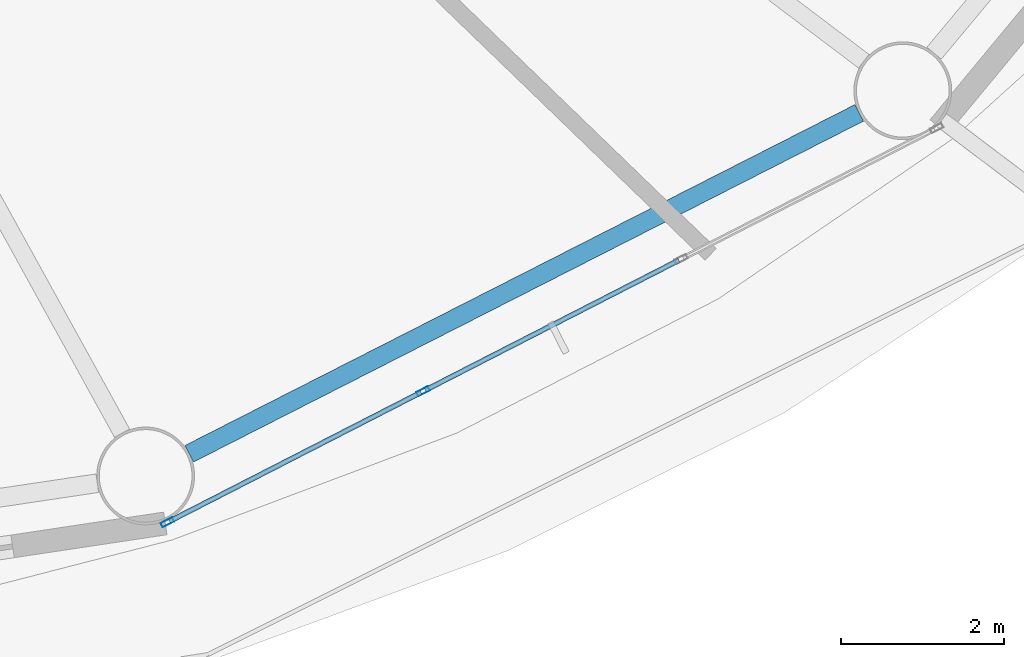
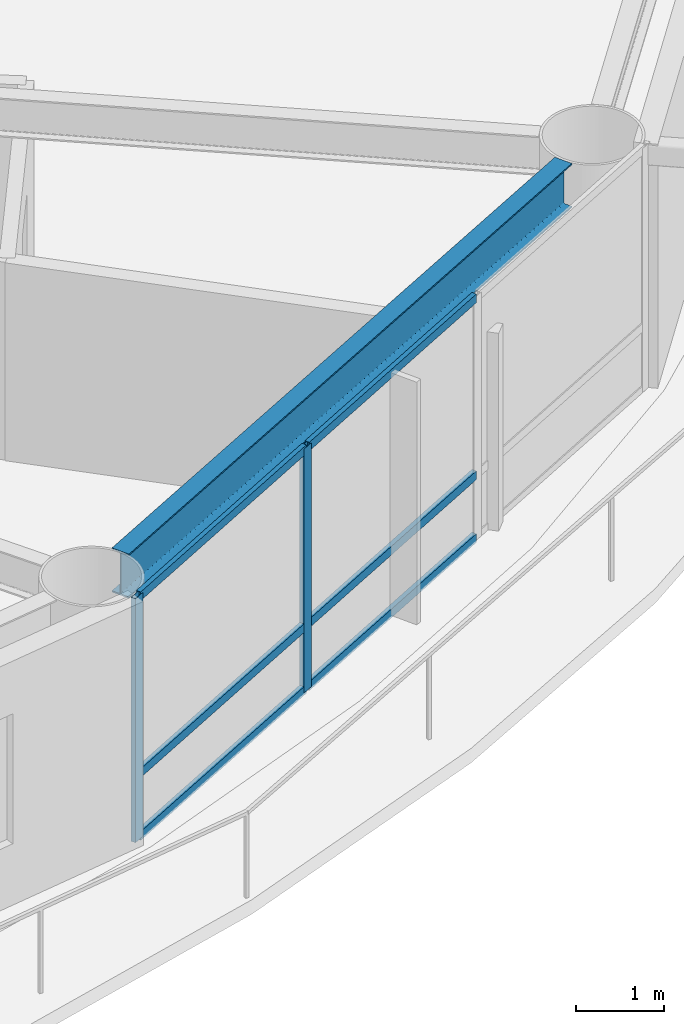
# One storey, part 4 of 24: 8 members, 1 beam, 1 element without a shape of its own.
"""IFC4 building model written with IfcOpenShell, lengths in metres."""

import ifcopenshell
import ifcopenshell.guid

model = None  # the IFC model being written
_history = None  # IfcOwnerHistory: only IFC2X3 demands one
_inside = {}  # id of a spatial element -> (the spatial element, [elements in it])
_under = {}  # id of a project, library or spatial element -> (it, [spatial elements below it])
_declared = {}  # id of a project -> (the project, [libraries it declares])
_typed = {}  # id of a type object -> (the type object, [elements of that type])
_made_of = {}  # id of a material, layer set ... -> (it, [elements and type objects made of it])


def new_model(schema):
    """Start an empty IFC model of exactly this schema.

    Asked for "IFC4X3", IfcOpenShell would pick the latest addendum, in which some entities
    have other attributes; the version numbers below select the first issue.
    IFC2X3 requires an IfcOwnerHistory on every rooted entity: one is made here for all.
    """
    global model, _history
    if schema == "IFC4X3":
        model = ifcopenshell.file(schema_version=(4, 3, 0, 0))
    else:
        model = ifcopenshell.file(schema=schema)
    _inside.clear()
    _under.clear()
    _declared.clear()
    _typed.clear()
    _made_of.clear()
    _history = None
    if model.schema == "IFC2X3":
        org = make("IfcOrganization", Name="unknown")
        user = make(
            "IfcPersonAndOrganization",
            ThePerson=make("IfcPerson", FamilyName="unknown"),
            TheOrganization=org,
        )
        app = make(
            "IfcApplication",
            ApplicationDeveloper=org,
            Version="unknown",
            ApplicationFullName="unknown",
            ApplicationIdentifier="unknown",
        )
        _history = make(
            "IfcOwnerHistory",
            OwningUser=user,
            OwningApplication=app,
            ChangeAction="ADDED",
            CreationDate=0,
        )
    return model


def make(cls, **values):
    """One entity of the class cls with the attributes given. An attribute that is None is left unset."""
    return model.create_entity(
        cls, **{name: value for name, value in values.items() if value is not None}
    )


def rooted(cls, **values):
    """An entity with a GlobalId (a new one), such as an element, a storey or a relation."""
    return make(cls, GlobalId=ifcopenshell.guid.new(), OwnerHistory=_history, **values)


def si_unit(unit_type, name, prefix=None):
    """IfcSIUnit, for example si_unit("LENGTHUNIT", "METRE", prefix="MILLI")."""
    return make("IfcSIUnit", UnitType=unit_type, Prefix=prefix, Name=name)


def assignment(units):
    """IfcUnitAssignment: the units of a project."""
    return None if units is None else make("IfcUnitAssignment", Units=units)


def point(xyz):
    """IfcCartesianPoint."""
    return None if xyz is None else make("IfcCartesianPoint", Coordinates=xyz)


def direction(xyz):
    """IfcDirection."""
    return None if xyz is None else make("IfcDirection", DirectionRatios=xyz)


def frame(location, z_axis=None, x_axis=None):
    """IfcAxis2Placement3D, a coordinate frame: its origin and axes. An axis left out is left unset."""
    return make(
        "IfcAxis2Placement3D",
        Location=point(location),
        Axis=direction(z_axis),
        RefDirection=direction(x_axis),
    )


def frame_2d(location, x_axis=None):
    """IfcAxis2Placement2D, a coordinate frame in the plane: its origin and x axis."""
    return make(
        "IfcAxis2Placement2D", Location=point(location), RefDirection=direction(x_axis)
    )


def origin():
    """The frame at (0, 0, 0) with its axes left unset."""
    return frame((0.0, 0.0, 0.0))


def origin_2d():
    """The frame at (0, 0) in the plane with its x axis left unset."""
    return frame_2d((0.0, 0.0))


def place(relative_to, where):
    """IfcLocalPlacement: puts the frame where relative to a parent placement (None: the world)."""
    return make(
        "IfcLocalPlacement", PlacementRelTo=relative_to, RelativePlacement=where
    )


def context(
    kind, dimensions, precision=None, world=None, true_north=None, identifier=None
):
    """IfcGeometricRepresentationContext, for example the 3D "Model" context."""
    return make(
        "IfcGeometricRepresentationContext",
        ContextIdentifier=identifier,
        ContextType=kind,
        CoordinateSpaceDimension=dimensions,
        Precision=precision,
        WorldCoordinateSystem=world,
        TrueNorth=true_north,
    )


def subcontext(parent, identifier, kind, view, scale=None):
    """IfcGeometricRepresentationSubContext, for example "Body" below "Model"."""
    return make(
        "IfcGeometricRepresentationSubContext",
        ContextIdentifier=identifier,
        ContextType=kind,
        ParentContext=parent,
        TargetScale=scale,
        TargetView=view,
    )


def project(units=None, contexts=None):
    """IfcProject with its units and contexts."""
    return rooted(
        "IfcProject",
        Name="project",
        RepresentationContexts=contexts,
        UnitsInContext=assignment(units),
    )


def spatial(cls, under=None, at=None, **own):
    """A site, building, storey or space (cls), placed at a placement, below another one or the project."""
    s = rooted(cls, ObjectPlacement=at, **own)
    if under is not None:
        _under.setdefault(under.id(), (under, []))[1].append(s)
    return s


def profile(cls, at=None, kind="AREA", **sizes):
    """A parametric profile (cls). Its sizes go by their IFC names, for example OverallWidth=200.0."""
    return make(cls, ProfileType=kind, Position=at, **sizes)


def hollow_rectangle(**sizes):
    """IfcRectangleHollowProfileDef."""
    return profile("IfcRectangleHollowProfileDef", **sizes)


def i_section(**sizes):
    """IfcIShapeProfileDef."""
    return profile("IfcIShapeProfileDef", **sizes)


def extrude(swept, where, along, depth):
    """IfcExtrudedAreaSolid: the profile swept, set in the frame where, extruded along a direction by depth."""
    return make(
        "IfcExtrudedAreaSolid",
        SweptArea=swept,
        Position=where,
        ExtrudedDirection=direction(along),
        Depth=depth,
    )


def shape(context_of_items, identifier, shape_type, items):
    """IfcShapeRepresentation: the items that make up one representation, for example the "Body"."""
    return make(
        "IfcShapeRepresentation",
        ContextOfItems=context_of_items,
        RepresentationIdentifier=identifier,
        RepresentationType=shape_type,
        Items=items,
    )


def material(Name=None, Category=None):
    """IfcMaterial."""
    return make("IfcMaterial", Name=Name, Category=Category)


def layer(
    of_material, thickness, ventilated=None, Name=None, Category=None, Priority=None
):
    """IfcMaterialLayer: one layer of a wall or slab, of a material (None: an air gap)."""
    return make(
        "IfcMaterialLayer",
        Material=of_material,
        LayerThickness=thickness,
        IsVentilated=ventilated,
        Name=Name,
        Category=Category,
        Priority=Priority,
    )


def layer_set(layers, Name=None):
    """IfcMaterialLayerSet."""
    return make("IfcMaterialLayerSet", MaterialLayers=layers, LayerSetName=Name)


def material_profile(
    of_material, cross_section, Name=None, Category=None, Priority=None
):
    """IfcMaterialProfile: a cross section and its material."""
    return make(
        "IfcMaterialProfile",
        Name=Name,
        Material=of_material,
        Profile=cross_section,
        Priority=Priority,
        Category=Category,
    )


def profile_set(profiles, Name=None, composite=None):
    """IfcMaterialProfileSet."""
    return make(
        "IfcMaterialProfileSet",
        Name=Name,
        MaterialProfiles=profiles,
        CompositeProfile=composite,
    )


def made_of(thing, what):
    """Note that an element or type object is made of a material, layer set ...; save() writes the relation."""
    if what is not None:
        _made_of.setdefault(what.id(), (what, []))[1].append(thing)
    return thing


def type_object(cls, material=None, **own):
    """A type object (cls), such as IfcWallType, which elements share."""
    return made_of(rooted(cls, **own), material)


def element(
    cls,
    number,
    at=None,
    inside=None,
    cuts=None,
    type_object=None,
    material=None,
    context=None,
    identifier="Body",
    shape_type=None,
    held_by="IfcProductDefinitionShape",
    body=None,
    shapes=None,
    **own,
):
    """One element of the class cls, such as IfcWall. Its Tag is "e" and its number.

    at: its placement. inside: the storey or other place that contains it. cuts: it is an
    opening in that element (IfcRelVoidsElement). A single representation is given by context,
    identifier, shape_type and body (its items); several are given by shapes. held_by: the class
    of the entity that holds the representations. save() writes the other relations.
    """
    e = rooted(cls, Tag="e%d" % number, ObjectPlacement=at, **own)
    if body is not None:
        shapes = [shape(context, identifier, shape_type, body)]
    if shapes is not None:
        e.Representation = make(held_by, Representations=shapes)
    if inside is not None:
        _inside.setdefault(inside.id(), (inside, []))[1].append(e)
    if cuts is not None:
        rooted(
            "IfcRelVoidsElement", RelatingBuildingElement=cuts, RelatedOpeningElement=e
        )
    if type_object is not None:
        _typed.setdefault(type_object.id(), (type_object, []))[1].append(e)
    return made_of(e, material)


def aggregate(whole, parts):
    """IfcRelAggregates: a whole, such as a stair, and the parts it consists of."""
    return rooted("IfcRelAggregates", RelatingObject=whole, RelatedObjects=parts)


def save(model, path):
    """Write the relations noted so far, then the file.

    IfcRelAggregates (storeys below a building ...), IfcRelContainedInSpatialStructure (elements
    in a storey), IfcRelDefinesByType, IfcRelAssociatesMaterial and IfcRelDeclares: one each for
    every whole, place, type object, material and project.
    """
    for whole, parts in _under.values():
        aggregate(whole, parts)
    for where, things in _inside.values():
        rooted(
            "IfcRelContainedInSpatialStructure",
            RelatedElements=things,
            RelatingStructure=where,
        )
    for kind, things in _typed.values():
        rooted("IfcRelDefinesByType", RelatedObjects=things, RelatingType=kind)
    for what, things in _made_of.values():
        rooted("IfcRelAssociatesMaterial", RelatedObjects=things, RelatingMaterial=what)
    for by, libraries in _declared.values():
        rooted("IfcRelDeclares", RelatingContext=by, RelatedDefinitions=libraries)
    model.write(path)


model = new_model("IFC4")

# Units and contexts
model_context = context("Model", 3, precision=1e-05, world=origin(), true_north=direction((0.0, 1.0)))
body_context = subcontext(model_context, "Body", "Model", "MODEL_VIEW")
ifc_project = project(units=[si_unit("LENGTHUNIT", "METRE"), si_unit("AREAUNIT", "SQUARE_METRE"), si_unit("VOLUMEUNIT", "CUBIC_METRE"), si_unit("PLANEANGLEUNIT", "RADIAN"), si_unit("MASSUNIT", "GRAM", prefix="KILO")], contexts=[model_context])

# Site, building, storey
site_placement = place(None, origin())
site = spatial("IfcSite", under=ifc_project, at=site_placement, CompositionType="ELEMENT")
building_placement = place(site_placement, origin())
building = spatial("IfcBuilding", under=site, at=building_placement, Name="Sarneth Arch Tower", CompositionType="ELEMENT")
storey_placement = place(building_placement, frame((0.0, 0.0, 98.39990234375)))
storey = spatial("IfcBuildingStorey", under=building, at=storey_placement, Name="L24", CompositionType="ELEMENT", Elevation=98.39990234375)

# Beam
ifc_material_1 = material(Name="Steel S355", Category="steel")
ifc_material_profile_1 = material_profile(ifc_material_1, i_section(OverallWidth=0.22900390625, OverallDepth=0.612060546875, WebThickness=0.011962890625, FlangeThickness=0.01953125, FilletRadius=0.01904296875, at=origin_2d()), Name="W610x125")
ifc_profile_set_1 = profile_set([ifc_material_profile_1], Name="Steel S355")
beam_type = type_object("IfcBeamType", Name="BM-SPAN-610C", PredefinedType="SPANDREL", material=ifc_profile_set_1)
beam_placement = place(storey_placement, frame((59.64501953125, 22.131591796875, 3.07421875), z_axis=(0.891259443414, 0.453493775619, 0.0), x_axis=(-0.453493775619, 0.891259443414, 0.0)))
element("IfcBeam", 1, at=beam_placement, inside=storey, type_object=beam_type, Name="L24 Perimeter spandrel beam 14", PredefinedType="SPANDREL", context=body_context, shape_type="SweptSolid", body=[
    extrude(i_section(OverallWidth=0.22900390625, OverallDepth=0.612060546875, WebThickness=0.011962890625, FlangeThickness=0.01953125, FilletRadius=0.01904296875, at=origin_2d()), origin(), (0.0, 0.0, 1.0), 9.220458984375),
])

# Curtain wall, members
ifc_material_2 = material(Name="Anodised aluminium Type AA25 and solar-control low-e laminated IGU", Category="aluminium")
ifc_layer = layer(ifc_material_2, 0.159912109375)
ifc_layer_set = layer_set([ifc_layer], Name="Anodised aluminium Type AA25 and solar-control low-e laminated IGU")
curtain_wall_type = type_object("IfcCurtainWallType", Name="CW-HOTEL-MID", PredefinedType="NOTDEFINED", material=ifc_layer_set)
curtain_wall_placement = place(storey_placement, origin())
curtain_wall = element("IfcCurtainWall", 2, at=curtain_wall_placement, inside=storey, type_object=curtain_wall_type, Name="L24 Unitised curtain wall facet 14", PredefinedType="NOTDEFINED")
ifc_material_3 = material(Name="Anodised Aluminium 6063-T6", Category="aluminium")
ifc_material_profile_2 = material_profile(ifc_material_3, hollow_rectangle(XDim=0.06005859375, YDim=0.159912109375, WallThickness=0.00390625, at=origin_2d()), Name="AL-MULL-160x60x4")
ifc_profile_set_2 = profile_set([ifc_material_profile_2], Name="Anodised Aluminium 6063-T6")
member_type_1 = type_object("IfcMemberType", Name="CW-MULLION", PredefinedType="MULLION", material=ifc_profile_set_2)
member_1_placement = place(storey_placement, frame((59.3779296875, 21.291015625, 0.0), z_axis=(0.0, 0.0, 1.0), x_axis=(-0.456031365356, 0.889963703649, 0.0)))
member_1 = element("IfcMember", 3, at=member_1_placement, type_object=member_type_1, Name="CW-SYS-4 mullion 1", PredefinedType="MULLION", context=body_context, shape_type="SweptSolid", body=[
    extrude(hollow_rectangle(XDim=0.06005859375, YDim=0.159912109375, WallThickness=0.00390625, at=origin_2d()), origin(), (0.0, 0.0, 1.0), 3.380126953125),
])
member_2_placement = place(storey_placement, frame((62.51416015625, 22.898193359375, 0.0), z_axis=(0.0, 0.0, 1.0), x_axis=(-0.456031365356, 0.889963703649, 0.0)))
member_2 = element("IfcMember", 4, at=member_2_placement, type_object=member_type_1, Name="CW-SYS-4 mullion 2", PredefinedType="MULLION", context=body_context, shape_type="SweptSolid", body=[
    extrude(hollow_rectangle(XDim=0.06005859375, YDim=0.159912109375, WallThickness=0.00390625, at=origin_2d()), origin(), (0.0, 0.0, 1.0), 3.380126953125),
])
ifc_material_4 = material(Name="Anodised Aluminium 6063-T6", Category="aluminium")
ifc_material_profile_3 = material_profile(ifc_material_4, hollow_rectangle(XDim=0.06005859375, YDim=0.1201171875, WallThickness=0.00390625, at=origin_2d()), Name="AL-TRAN-120x60x4")
ifc_profile_set_3 = profile_set([ifc_material_profile_3], Name="Anodised Aluminium 6063-T6")
member_type_2 = type_object("IfcMemberType", Name="CW-TRANSOM", PredefinedType="USERDEFINED", material=ifc_profile_set_3)
member_3_placement = place(storey_placement, frame((59.404541015625, 21.3046875, 0.030029296875), z_axis=(0.889957563627, 0.456043347658, 0.0), x_axis=(-0.456043347658, 0.889957563627, 0.0)))
member_3 = element("IfcMember", 5, at=member_3_placement, type_object=member_type_2, Name="CW-SYS-4 transom 1.1", ObjectType="TRANSOM", PredefinedType="USERDEFINED", context=body_context, shape_type="SweptSolid", body=[
    extrude(hollow_rectangle(XDim=0.06005859375, YDim=0.1201171875, WallThickness=0.00390625, at=origin_2d()), origin(), (0.0, 0.0, 1.0), 3.464111328125),
])
member_4_placement = place(storey_placement, frame((59.404541015625, 21.3046875, 0.900146484375), z_axis=(0.889957563627, 0.456043347658, 0.0), x_axis=(-0.456043347658, 0.889957563627, 0.0)))
member_4 = element("IfcMember", 6, at=member_4_placement, type_object=member_type_2, Name="CW-SYS-4 transom 1.2", ObjectType="TRANSOM", PredefinedType="USERDEFINED", context=body_context, shape_type="SweptSolid", body=[
    extrude(hollow_rectangle(XDim=0.06005859375, YDim=0.1201171875, WallThickness=0.00390625, at=origin_2d()), origin(), (0.0, 0.0, 1.0), 3.464111328125),
])
member_5_placement = place(storey_placement, frame((59.404541015625, 21.3046875, 3.35009765625), z_axis=(0.889957563627, 0.456043347658, 0.0), x_axis=(-0.456043347658, 0.889957563627, 0.0)))
member_5 = element("IfcMember", 7, at=member_5_placement, type_object=member_type_2, Name="CW-SYS-4 transom 1.3", ObjectType="TRANSOM", PredefinedType="USERDEFINED", context=body_context, shape_type="SweptSolid", body=[
    extrude(hollow_rectangle(XDim=0.06005859375, YDim=0.1201171875, WallThickness=0.00390625, at=origin_2d()), origin(), (0.0, 0.0, 1.0), 3.464111328125),
])
member_6_placement = place(storey_placement, frame((62.540771484375, 22.911865234375, 0.030029296875), z_axis=(0.889981813856, 0.455996020823, 0.0), x_axis=(-0.455996020823, 0.889981813856, 0.0)))
member_6 = element("IfcMember", 8, at=member_6_placement, type_object=member_type_2, Name="CW-SYS-4 transom 2.1", ObjectType="TRANSOM", PredefinedType="USERDEFINED", context=body_context, shape_type="SweptSolid", body=[
    extrude(hollow_rectangle(XDim=0.06005859375, YDim=0.1201171875, WallThickness=0.00390625, at=origin_2d()), origin(), (0.0, 0.0, 1.0), 3.494140625),
])
member_7_placement = place(storey_placement, frame((62.540771484375, 22.911865234375, 0.900146484375), z_axis=(0.889981813856, 0.455996020823, 0.0), x_axis=(-0.455996020823, 0.889981813856, 0.0)))
member_7 = element("IfcMember", 9, at=member_7_placement, type_object=member_type_2, Name="CW-SYS-4 transom 2.2", ObjectType="TRANSOM", PredefinedType="USERDEFINED", context=body_context, shape_type="SweptSolid", body=[
    extrude(hollow_rectangle(XDim=0.06005859375, YDim=0.1201171875, WallThickness=0.00390625, at=origin_2d()), origin(), (0.0, 0.0, 1.0), 3.494140625),
])
member_8_placement = place(storey_placement, frame((62.540771484375, 22.911865234375, 3.35009765625), z_axis=(0.889981813856, 0.455996020823, 0.0), x_axis=(-0.455996020823, 0.889981813856, 0.0)))
member_8 = element("IfcMember", 10, at=member_8_placement, type_object=member_type_2, Name="CW-SYS-4 transom 2.3", ObjectType="TRANSOM", PredefinedType="USERDEFINED", context=body_context, shape_type="SweptSolid", body=[
    extrude(hollow_rectangle(XDim=0.06005859375, YDim=0.1201171875, WallThickness=0.00390625, at=origin_2d()), origin(), (0.0, 0.0, 1.0), 3.494140625),
])
aggregate(curtain_wall, [member_1, member_2, member_3, member_4, member_5, member_6, member_7, member_8])

save(model, "model.ifc")
